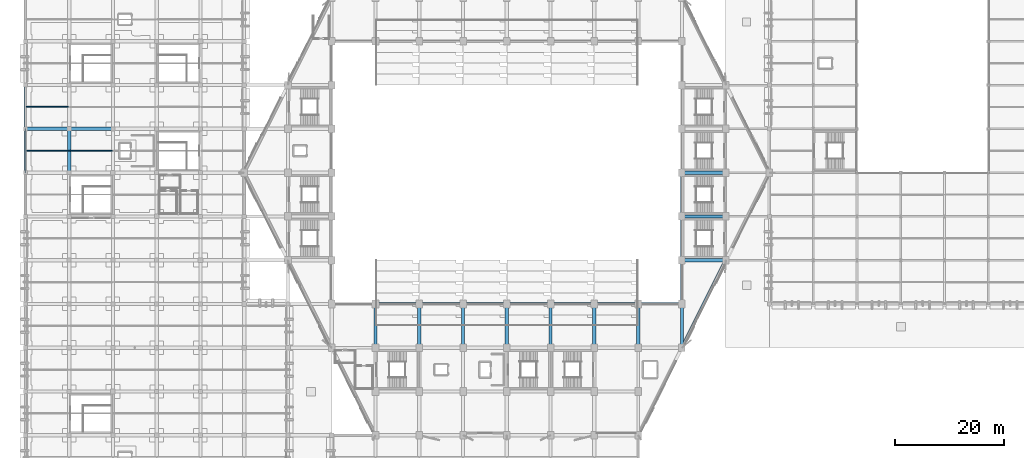
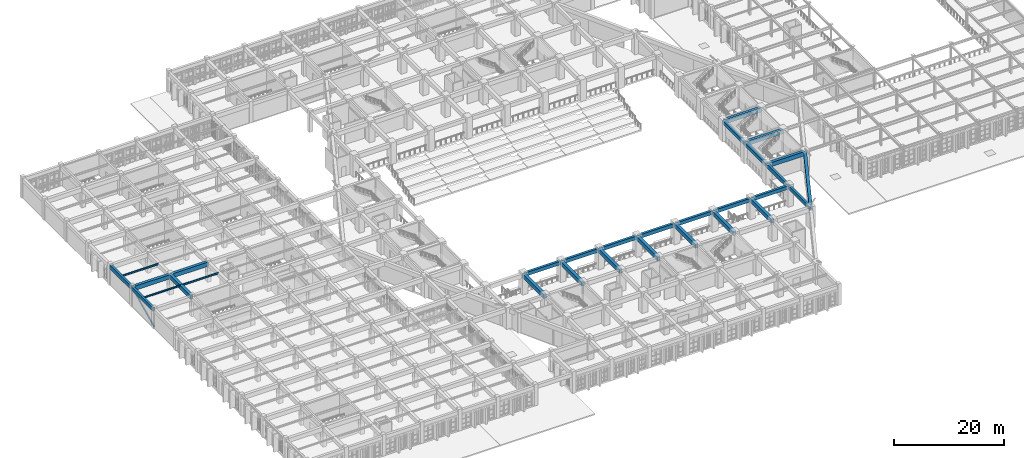
# One storey, part 21 of 155: 30 beams, 1 member.
"""IFC4 building model written with IfcOpenShell, lengths in metres."""

from ifc_helpers import new_model, si_unit, direction, frame, origin, origin_2d, place, context, subcontext, project, spatial, rectangle, hollow_rectangle, i_section, extrude, material, material_profile, profile_set, type_object, element, save


model = new_model("IFC4")

# Units and contexts
model_context = context("Model", 3, precision=1e-05, world=origin(), true_north=direction((0.0, 1.0)))
body_context = subcontext(model_context, "Body", "Model", "MODEL_VIEW")
ifc_project = project(units=[si_unit("LENGTHUNIT", "METRE"), si_unit("AREAUNIT", "SQUARE_METRE"), si_unit("VOLUMEUNIT", "CUBIC_METRE"), si_unit("PLANEANGLEUNIT", "RADIAN"), si_unit("MASSUNIT", "GRAM", prefix="KILO")], contexts=[model_context])

# Site, building, storey
site_placement = place(None, origin())
site = spatial("IfcSite", under=ifc_project, at=site_placement, CompositionType="ELEMENT")
building_placement = place(site_placement, origin())
building = spatial("IfcBuilding", under=site, at=building_placement, Name="Tazarka Park Arena", CompositionType="ELEMENT")
storey_placement = place(building_placement, frame((0.0, 0.0, 5.39990234375)))
storey = spatial("IfcBuildingStorey", under=building, at=storey_placement, Name="L01", CompositionType="ELEMENT", Elevation=5.39990234375)

# Beams
ifc_material_1 = material(Name="Concrete C40/50", Category="concrete")
ifc_material_profile_1 = material_profile(ifc_material_1, rectangle(XDim=0.60009765625, YDim=0.949951171875, at=origin_2d()), Name="Concrete C40/50")
ifc_profile_set_1 = profile_set([ifc_material_profile_1], Name="Concrete C40/50")
beam_type_1 = type_object("IfcBeamType", Name="BM-B-03", PredefinedType="BEAM", material=ifc_profile_set_1)
for number, where, z_axis, x_axis, name in (
    (1, (0.1201171875, 72.0, 3.945068359375), (1.0, 0.0, 0.0), (0.0, 1.0, 0.0), "GXM-L01-00-09"),
    (2, (8.0, 64.1201171875, 3.945068359375), (0.0, 1.0, 0.0), (-1.0, 0.0, 0.0), "GYM-L01-01-08"),
    (3, (8.1201171875, 72.0, 3.945068359375), (1.0, 0.0, 0.0), (0.0, 1.0, 0.0), "GXM-L01-01-09"),
    (4, (64.0, 32.1201171875, 3.945068359375), (0.0, 1.0, 0.0), (-1.0, 0.0, 0.0), "GYM-L01-08-04"),
    (5, (72.0, 32.1201171875, 3.945068359375), (0.0, 1.0, 0.0), (-1.0, 0.0, 0.0), "GYM-L01-09-04"),
    (6, (80.0, 32.1201171875, 3.945068359375), (0.0, 1.0, 0.0), (-1.0, 0.0, 0.0), "GYM-L01-10-04"),
    (7, (88.0, 32.1201171875, 3.945068359375), (0.0, 1.0, 0.0), (-1.0, 0.0, 0.0), "GYM-L01-11-04"),
    (8, (96.0, 32.1201171875, 3.945068359375), (0.0, 1.0, 0.0), (-1.0, 0.0, 0.0), "GYM-L01-12-04"),
    (9, (104.0, 32.1201171875, 3.945068359375), (0.0, 1.0, 0.0), (-1.0, 0.0, 0.0), "GYM-L01-13-04"),
    (10, (112.0, 32.1201171875, 3.945068359375), (0.0, 1.0, 0.0), (-1.0, 0.0, 0.0), "GYM-L01-14-04"),
    (11, (120.1201171875, 48.0, 3.945068359375), (1.0, 0.0, 0.0), (0.0, 1.0, 0.0), "GXM-L01-15-06"),
    (12, (120.1201171875, 56.0, 3.945068359375), (1.0, 0.0, 0.0), (0.0, 1.0, 0.0), "GXM-L01-15-07"),
    (13, (120.1201171875, 64.0, 3.945068359375), (1.0, 0.0, 0.0), (0.0, 1.0, 0.0), "GXM-L01-15-08"),
):
    element("IfcBeam", number, at=place(storey_placement, frame(where, z_axis=z_axis, x_axis=x_axis)), inside=storey, type_object=beam_type_1, Name=name, PredefinedType="BEAM", context=body_context, shape_type="SweptSolid", body=[
        extrude(rectangle(XDim=0.60009765625, YDim=0.949951171875, at=origin_2d()), origin(), (0.0, 0.0, 1.0), 7.759765625),
    ])
ifc_material_2 = material(Name="Steel S355", Category="steel")
ifc_material_profile_2 = material_profile(ifc_material_2, i_section(OverallWidth=0.169921875, OverallDepth=0.360107421875, WebThickness=0.008056640625, FlangeThickness=0.0126953125, FilletRadius=0.01806640625, at=origin_2d()), Name="Steel S355")
ifc_profile_set_2 = profile_set([ifc_material_profile_2], Name="Steel S355")
beam_type_2 = type_object("IfcBeamType", Name="BM-J-02", PredefinedType="JOIST", material=ifc_profile_set_2)
beam_1_placement = place(storey_placement, frame((0.1201171875, 68.0, 4.239990234375), z_axis=(1.0, 0.0, 0.0), x_axis=(0.0, 1.0, 0.0)))
element("IfcBeam", 14, at=beam_1_placement, inside=storey, type_object=beam_type_2, Name="JST-L01-00-08", PredefinedType="JOIST", context=body_context, shape_type="SweptSolid", body=[
    extrude(i_section(OverallWidth=0.169921875, OverallDepth=0.360107421875, WebThickness=0.008056640625, FlangeThickness=0.0126953125, FilletRadius=0.01806640625, at=origin_2d()), origin(), (0.0, 0.0, 1.0), 7.759765625),
])
ifc_material_3 = material(Name="Steel S355", Category="steel")
ifc_material_profile_3 = material_profile(ifc_material_3, i_section(OverallWidth=0.179931640625, OverallDepth=0.39990234375, WebThickness=0.008544921875, FlangeThickness=0.013427734375, FilletRadius=0.02099609375, at=origin_2d()), Name="Steel S355")
ifc_profile_set_3 = profile_set([ifc_material_profile_3], Name="Steel S355")
beam_type_3 = type_object("IfcBeamType", Name="BM-J-03", PredefinedType="JOIST", material=ifc_profile_set_3)
for number, where, z_axis, x_axis, name in (
    (15, (0.1201171875, 76.0, 4.22021484375), (1.0, 0.0, 0.0), (0.0, 1.0, 0.0), "JST-L01-00-09"),
    (16, (8.1201171875, 68.0, 4.22021484375), (1.0, 0.0, 0.0), (0.0, 1.0, 0.0), "JST-L01-01-08"),
):
    element("IfcBeam", number, at=place(storey_placement, frame(where, z_axis=z_axis, x_axis=x_axis)), inside=storey, type_object=beam_type_3, Name=name, PredefinedType="JOIST", context=body_context, shape_type="SweptSolid", body=[
        extrude(i_section(OverallWidth=0.179931640625, OverallDepth=0.39990234375, WebThickness=0.008544921875, FlangeThickness=0.013427734375, FilletRadius=0.02099609375, at=origin_2d()), origin(), (0.0, 0.0, 1.0), 7.759765625),
    ])
ifc_material_4 = material(Name="Concrete C40/50", Category="concrete")
ifc_material_profile_4 = material_profile(ifc_material_4, rectangle(XDim=0.5, YDim=0.800048828125, at=origin_2d()), Name="Concrete C40/50")
ifc_profile_set_4 = profile_set([ifc_material_profile_4], Name="Concrete C40/50")
beam_type_4 = type_object("IfcBeamType", Name="BM-SP-01", PredefinedType="SPANDREL", material=ifc_profile_set_4)
for number, where, z_axis, x_axis, name in (
    (17, (0.0, 64.1201171875, 4.02001953125), (0.0, 1.0, 0.0), (-1.0, 0.0, 0.0), "GYM-L01-00-08"),
    (18, (0.0, 72.1201171875, 4.02001953125), (0.0, 1.0, 0.0), (-1.0, 0.0, 0.0), "GYM-L01-00-09"),
    (19, (64.1201171875, 40.0, 4.02001953125), (1.0, 0.0, 0.0), (0.0, 1.0, 0.0), "GXM-L01-08-05"),
    (20, (72.1201171875, 40.0, 4.02001953125), (1.0, 0.0, 0.0), (0.0, 1.0, 0.0), "GXM-L01-09-05"),
    (21, (80.1201171875, 40.0, 4.02001953125), (1.0, 0.0, 0.0), (0.0, 1.0, 0.0), "GXM-L01-10-05"),
    (22, (88.1201171875, 40.0, 4.02001953125), (1.0, 0.0, 0.0), (0.0, 1.0, 0.0), "GXM-L01-11-05"),
    (23, (96.1201171875, 40.0, 4.02001953125), (1.0, 0.0, 0.0), (0.0, 1.0, 0.0), "GXM-L01-12-05"),
    (24, (104.1201171875, 40.0, 4.02001953125), (1.0, 0.0, 0.0), (0.0, 1.0, 0.0), "GXM-L01-13-05"),
    (25, (112.1201171875, 40.0, 4.02001953125), (1.0, 0.0, 0.0), (0.0, 1.0, 0.0), "GXM-L01-14-05"),
    (26, (120.0, 32.1201171875, 4.02001953125), (0.0, 1.0, 0.0), (-1.0, 0.0, 0.0), "GYM-L01-15-04"),
    (27, (120.0, 40.1201171875, 4.02001953125), (0.0, 1.0, 0.0), (-1.0, 0.0, 0.0), "GYM-L01-15-05"),
    (28, (120.0, 48.1201171875, 4.02001953125), (0.0, 1.0, 0.0), (-1.0, 0.0, 0.0), "GYM-L01-15-06"),
    (29, (120.0, 56.1201171875, 4.02001953125), (0.0, 1.0, 0.0), (-1.0, 0.0, 0.0), "GYM-L01-15-07"),
):
    element("IfcBeam", number, at=place(storey_placement, frame(where, z_axis=z_axis, x_axis=x_axis)), inside=storey, type_object=beam_type_4, Name=name, PredefinedType="SPANDREL", context=body_context, shape_type="SweptSolid", body=[
        extrude(rectangle(XDim=0.5, YDim=0.800048828125, at=origin_2d()), origin(), (0.0, 0.0, 1.0), 7.759765625),
    ])
ifc_material_5 = material(Name="Concrete C40/50", Category="concrete")
ifc_material_profile_5 = material_profile(ifc_material_5, rectangle(XDim=0.60009765625, YDim=0.949951171875, at=origin_2d()), Name="Concrete C40/50")
ifc_profile_set_5 = profile_set([ifc_material_profile_5], Name="Concrete C40/50")
beam_type_5 = type_object("IfcBeamType", Name="BM-SP-03", PredefinedType="SPANDREL", material=ifc_profile_set_5)
beam_2_placement = place(storey_placement, frame((120.0537109375, 32.107421875, 3.945068359375), z_axis=(0.4472135955, 0.894427191, 0.0), x_axis=(-0.894427191, 0.4472135955, 0.0)))
element("IfcBeam", 30, at=beam_2_placement, inside=storey, type_object=beam_type_5, Name="RING BEAM SP-03-L01-08", PredefinedType="SPANDREL", context=body_context, shape_type="SweptSolid", body=[
    extrude(rectangle(XDim=0.60009765625, YDim=0.949951171875, at=origin_2d()), origin(), (0.0, 0.0, 1.0), 17.6484375),
])

# Member
ifc_material_6 = material(Name="Steel S355", Category="steel")
ifc_material_profile_6 = material_profile(ifc_material_6, hollow_rectangle(XDim=0.199951171875, YDim=0.300048828125, WallThickness=0.012451171875, at=origin_2d()), Name="Steel S355")
ifc_profile_set_6 = profile_set([ifc_material_profile_6], Name="Steel S355")
member_type = type_object("IfcMemberType", Name="MEM-BR-03", PredefinedType="BRACE", material=ifc_profile_set_6)
member_placement = place(storey_placement, frame((0.0, 64.0, 0.2001953125), z_axis=(0.0, 0.900207542206, 0.435461113022), x_axis=(-1.0, 0.0, 0.0)))
element("IfcMember", 31, at=member_placement, inside=storey, type_object=member_type, Name="BRX-L01-00", PredefinedType="BRACE", context=body_context, shape_type="SweptSolid", body=[
    extrude(hollow_rectangle(XDim=0.199951171875, YDim=0.300048828125, WallThickness=0.012451171875, at=origin_2d()), origin(), (0.0, 0.0, 1.0), 8.88671875),
])

save(model, "model.ifc")
